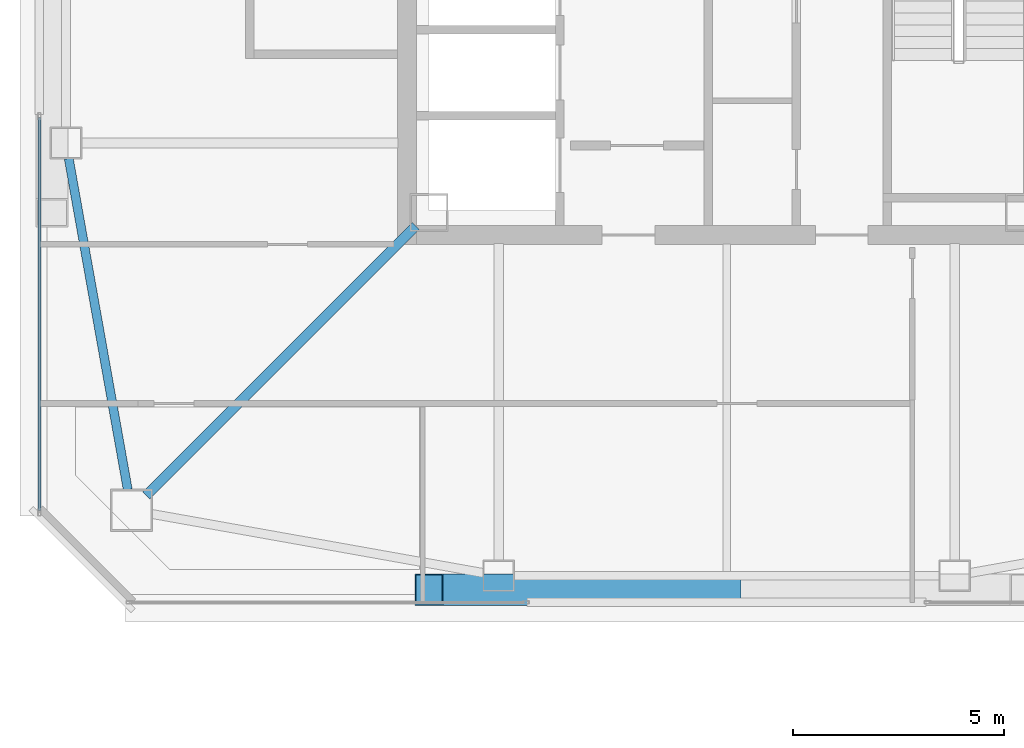
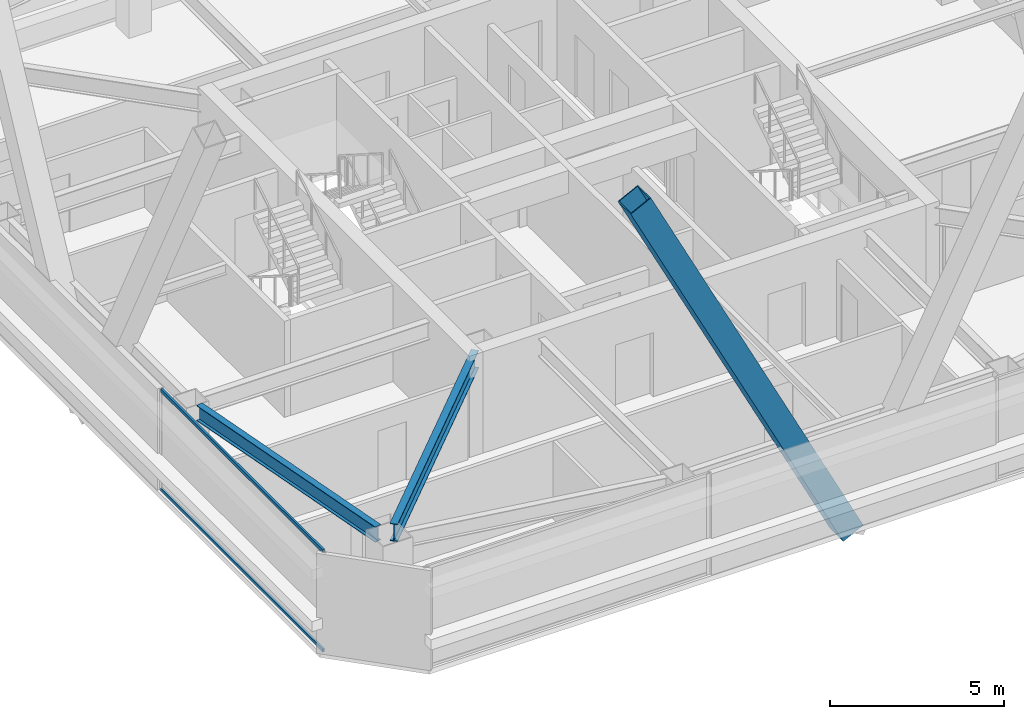
# One storey, part 4 of 47: 3 members, 2 beams, 1 element without a shape of its own.
"""IFC4 building model written with IfcOpenShell, lengths in metres."""

from ifc_helpers import new_model, si_unit, direction, frame, origin, origin_2d, place, context, subcontext, project, spatial, hollow_rectangle, i_section, extrude, material, material_profile, profile_set, type_object, element, aggregate, save


model = new_model("IFC4")

# Units and contexts
model_context = context("Model", 3, precision=1e-05, world=origin(), true_north=direction((0.0, 1.0)))
body_context = subcontext(model_context, "Body", "Model", "MODEL_VIEW")
ifc_project = project(units=[si_unit("LENGTHUNIT", "METRE"), si_unit("AREAUNIT", "SQUARE_METRE"), si_unit("VOLUMEUNIT", "CUBIC_METRE"), si_unit("PLANEANGLEUNIT", "RADIAN"), si_unit("MASSUNIT", "GRAM", prefix="KILO")], contexts=[model_context])

# Site, building, storey
site_placement = place(None, origin())
site = spatial("IfcSite", under=ifc_project, at=site_placement, CompositionType="ELEMENT")
building_placement = place(site_placement, origin())
building = spatial("IfcBuilding", under=site, at=building_placement, Name="Tashvorn Skyway Center", CompositionType="ELEMENT")
storey_placement = place(building_placement, frame((0.0, 0.0, 204.199951171875)))
storey = spatial("IfcBuildingStorey", under=building, at=storey_placement, Name="L55", CompositionType="ELEMENT", Elevation=204.199951171875)

# Beams
ifc_material_1 = material(Name="Steel ASTM A992 Grade 50", Category="steel")
ifc_material_profile_1 = material_profile(ifc_material_1, i_section(OverallWidth=0.22998046875, OverallDepth=0.616943359375, WebThickness=0.01318359375, FlangeThickness=0.022216796875, at=origin_2d()), Name="W24X94")
ifc_profile_set_1 = profile_set([ifc_material_profile_1], Name="Steel ASTM A992 Grade 50")
beam_type_1 = type_object("IfcBeamType", Name="BM-BEAM-W24X94", PredefinedType="BEAM", material=ifc_profile_set_1)
beam_1_placement = place(storey_placement, frame((28.25, 18.25, 3.0615234375), z_axis=(0.707106781187, 0.707106781187, 0.0), x_axis=(-0.707106781187, 0.707106781187, 0.0)))
element("IfcBeam", 1, at=beam_1_placement, inside=storey, type_object=beam_type_1, Name="Tower 1 L55 Primary Floor Girder MC-SW", PredefinedType="BEAM", context=body_context, shape_type="SweptSolid", body=[
    extrude(i_section(OverallWidth=0.22998046875, OverallDepth=0.616943359375, WebThickness=0.01318359375, FlangeThickness=0.022216796875, at=origin_2d()), origin(), (0.0, 0.0, 1.0), 9.030029296875),
])
ifc_material_profile_2 = material_profile(ifc_material_1, i_section(OverallWidth=0.2109375, OverallDepth=0.5390625, WebThickness=0.01171875, FlangeThickness=0.018798828125, at=origin_2d()), Name="W21X73")
ifc_profile_set_2 = profile_set([ifc_material_profile_2], Name="Steel ASTM A992 Grade 50")
beam_type_2 = type_object("IfcBeamType", Name="BM-SPANDREL-W21X73", PredefinedType="SPANDREL", material=ifc_profile_set_2)
beam_2_placement = place(storey_placement, frame((26.414794921875, 26.23583984375, 3.1005859375), z_axis=(0.17541329759, -0.984494883191, 0.0), x_axis=(0.984494883191, 0.17541329759, 0.0)))
element("IfcBeam", 2, at=beam_2_placement, inside=storey, type_object=beam_type_2, Name="Tower 1 L55 Spandrel Beam 12", PredefinedType="SPANDREL", context=body_context, shape_type="SweptSolid", body=[
    extrude(i_section(OverallWidth=0.2109375, OverallDepth=0.5390625, WebThickness=0.01171875, FlangeThickness=0.018798828125, at=origin_2d()), origin(), (0.0, 0.0, 1.0), 7.97216796875),
])

# Curtain wall, members
ifc_material_2 = material(Name="Thermally broken bronze-anodized aluminium 6063-T6", Category="aluminium")
curtain_wall_type = type_object("IfcCurtainWallType", Name="CW-CW-Z5", PredefinedType="NOTDEFINED", material=ifc_material_2)
curtain_wall_placement = place(storey_placement, origin())
curtain_wall = element("IfcCurtainWall", 3, at=curtain_wall_placement, inside=storey, type_object=curtain_wall_type, Name="Tower 1 L55 West Unitised Curtain Wall Glazing Group 1", PredefinedType="NOTDEFINED")
ifc_material_profile_3 = material_profile(ifc_material_2, hollow_rectangle(XDim=0.070068359375, YDim=0.114990234375, WallThickness=0.00390625, at=origin_2d()), Name="ALU-TRAN-70x115")
ifc_profile_set_3 = profile_set([ifc_material_profile_3], Name="Thermally broken bronze-anodized aluminium 6063-T6")
member_type_1 = type_object("IfcMemberType", Name="CWT-CW-Z5", PredefinedType="USERDEFINED", material=ifc_profile_set_3)
member_1_placement = place(storey_placement, frame((25.719970703125, 17.889892578125, 0.03515625), z_axis=(0.0, 1.0, 0.0), x_axis=(-1.0, 0.0, 0.0)))
member_1 = element("IfcMember", 4, at=member_1_placement, type_object=member_type_1, Name="CW-Z5 transom 1.1", ObjectType="TRANSOM", PredefinedType="USERDEFINED", context=body_context, shape_type="SweptSolid", body=[
    extrude(hollow_rectangle(XDim=0.070068359375, YDim=0.114990234375, WallThickness=0.00390625, at=origin_2d()), origin(), (0.0, 0.0, 1.0), 9.3134765625),
])
member_2_placement = place(storey_placement, frame((25.719970703125, 17.889892578125, 3.51513671875), z_axis=(0.0, 1.0, 0.0), x_axis=(-1.0, 0.0, 0.0)))
member_2 = element("IfcMember", 5, at=member_2_placement, type_object=member_type_1, Name="CW-Z5 transom 1.2", ObjectType="TRANSOM", PredefinedType="USERDEFINED", context=body_context, shape_type="SweptSolid", body=[
    extrude(hollow_rectangle(XDim=0.070068359375, YDim=0.114990234375, WallThickness=0.00390625, at=origin_2d()), origin(), (0.0, 0.0, 1.0), 9.3134765625),
])
aggregate(curtain_wall, [member_1, member_2])

# Member
ifc_material_3 = material(Name="Steel ASTM A572 Grade 50", Category="steel")
ifc_material_profile_4 = material_profile(ifc_material_3, hollow_rectangle(XDim=0.75, YDim=0.75, WallThickness=0.031982421875, at=origin_2d()), Name="BOX750x750x32")
ifc_profile_set_4 = profile_set([ifc_material_profile_4], Name="Steel ASTM A572 Grade 50")
member_type_2 = type_object("IfcMemberType", Name="MEM-MB-750", PredefinedType="BRACE", material=ifc_profile_set_4)
member_3_placement = place(storey_placement, frame((42.0, 16.02001953125, -0.199951171875), z_axis=(-0.451051930666, 0.0, 0.892497706351), x_axis=(0.0, -1.0, 0.0)))
element("IfcMember", 6, at=member_3_placement, inside=storey, type_object=member_type_2, Name="Tower 1 Zone 5 S Chevron Mega-Brace L1", PredefinedType="BRACE", context=body_context, shape_type="SweptSolid", body=[
    extrude(hollow_rectangle(XDim=0.75, YDim=0.75, WallThickness=0.031982421875, at=origin_2d()), origin(), (0.0, 0.0, 1.0), 15.630126953125),
])

save(model, "model.ifc")
